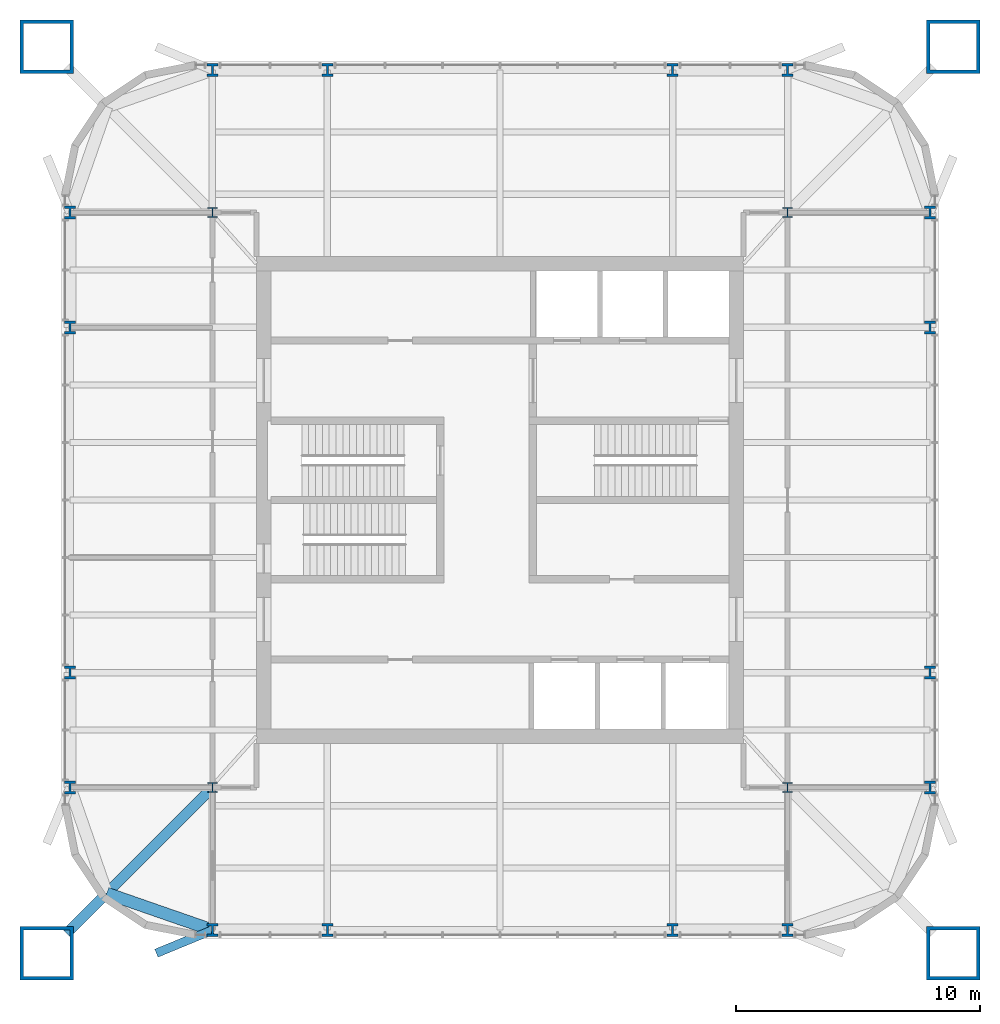
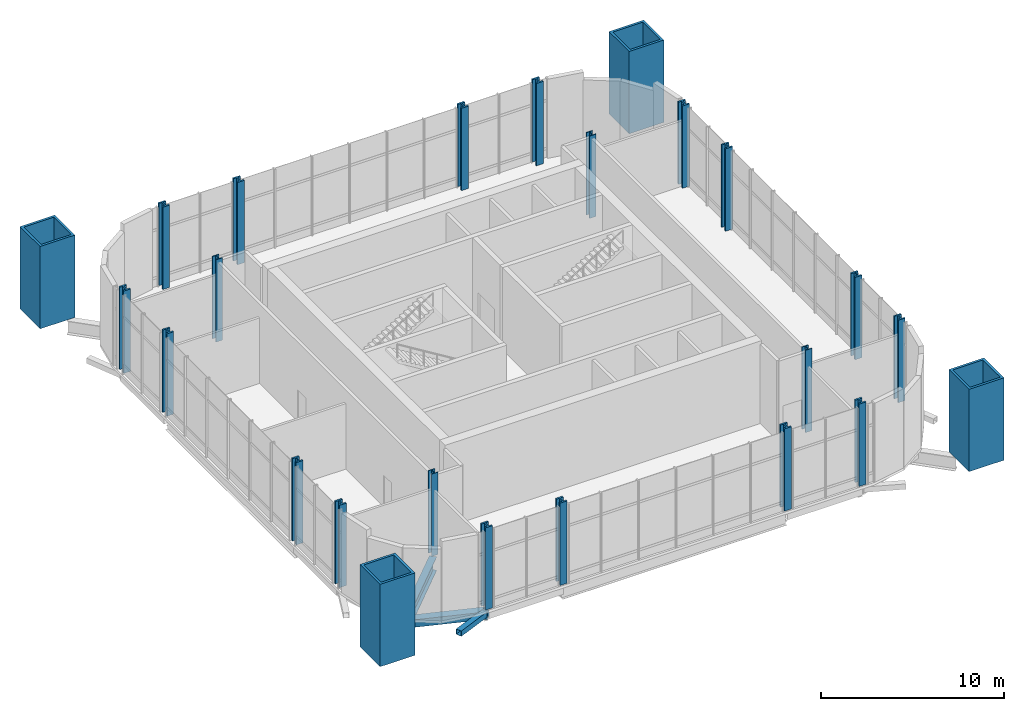
# One storey, part 1 of 17: 24 columns, 3 beams.
"""IFC4 building model written with IfcOpenShell, lengths in metres."""

from ifc_helpers import new_model, si_unit, direction, frame, origin, origin_2d, place, context, subcontext, project, spatial, hollow_rectangle, i_section, extrude, material, material_profile, profile_set, type_object, element, save


model = new_model("IFC4")

# Units and contexts
model_context = context("Model", 3, precision=1e-05, world=origin(), true_north=direction((0.0, 1.0)))
body_context = subcontext(model_context, "Body", "Model", "MODEL_VIEW")
ifc_project = project(units=[si_unit("LENGTHUNIT", "METRE"), si_unit("AREAUNIT", "SQUARE_METRE"), si_unit("VOLUMEUNIT", "CUBIC_METRE"), si_unit("PLANEANGLEUNIT", "RADIAN"), si_unit("MASSUNIT", "GRAM", prefix="KILO")], contexts=[model_context])

# Site, building, storey
site_placement = place(None, origin())
site = spatial("IfcSite", under=ifc_project, at=site_placement, CompositionType="ELEMENT")
building_placement = place(site_placement, origin())
building = spatial("IfcBuilding", under=site, at=building_placement, Name="Turquesa Mirador Hotel Tower", CompositionType="ELEMENT")
storey_placement = place(building_placement, frame((0.0, 0.0, 266.699951171875)))
storey = spatial("IfcBuildingStorey", under=building, at=storey_placement, Name="L72", CompositionType="ELEMENT", Elevation=266.699951171875)

# Columns
ifc_material_1 = material(Name="Steel ASTM A992 Grade 50", Category="steel")
ifc_material_profile_1 = material_profile(ifc_material_1, i_section(OverallWidth=0.406494140625, OverallDepth=0.41650390625, WebThickness=0.030029296875, FlangeThickness=0.048095703125, at=origin_2d()), Name="W14X257")
ifc_profile_set_1 = profile_set([ifc_material_profile_1], Name="Steel ASTM A992 Grade 50")
column_type_1 = type_object("IfcColumnType", Name="COLUMN W14X257", PredefinedType="COLUMN", material=ifc_profile_set_1)
for number, where, z_axis, x_axis, name in (
    (1, (43.199951171875, 33.199951171875, 0.0), (0.0, 0.0, 1.0), (1.0, 0.0, 0.0), "COL-L72-K--11.80--11.80"),
    (2, (43.199951171875, 56.800048828125, 0.0), (0.0, 0.0, 1.0), (1.0, 0.0, 0.0), "COL-L72-K--11.80-+11.80"),
    (3, (66.800048828125, 33.199951171875, 0.0), (0.0, 0.0, 1.0), (1.0, 0.0, 0.0), "COL-L72-K-+11.80--11.80"),
    (4, (66.800048828125, 56.800048828125, 0.0), (0.0, 0.0, 1.0), (1.0, 0.0, 0.0), "COL-L72-K-+11.80-+11.80"),
):
    element("IfcColumn", number, at=place(storey_placement, frame(where, z_axis=z_axis, x_axis=x_axis)), inside=storey, type_object=column_type_1, Name=name, PredefinedType="COLUMN", context=body_context, shape_type="SweptSolid", body=[
        extrude(i_section(OverallWidth=0.406494140625, OverallDepth=0.41650390625, WebThickness=0.030029296875, FlangeThickness=0.048095703125, at=origin_2d()), origin(), (0.0, 0.0, 1.0), 5.5),
    ])
ifc_material_2 = material(Name="Steel ASTM A992 Grade 50", Category="steel")
ifc_material_profile_2 = material_profile(ifc_material_2, i_section(OverallWidth=0.44189453125, OverallDepth=0.53076171875, WebThickness=0.06591796875, FlangeThickness=0.105712890625, at=origin_2d()), Name="W14X605")
ifc_profile_set_2 = profile_set([ifc_material_profile_2], Name="Steel ASTM A992 Grade 50")
column_type_2 = type_object("IfcColumnType", Name="COLUMN W14X605", PredefinedType="COLUMN", material=ifc_profile_set_2)
for number, where, z_axis, x_axis, name in (
    (5, (37.35009765625, 33.199951171875, 0.0), (0.0, 0.0, 1.0), (1.0, 0.0, 0.0), "COL-L72-P--17.65--11.80"),
    (6, (37.35009765625, 37.919921875, 0.0), (0.0, 0.0, 1.0), (1.0, 0.0, 0.0), "COL-L72-P--17.65--7.08"),
    (7, (37.35009765625, 52.080078125, 0.0), (0.0, 0.0, 1.0), (1.0, 0.0, 0.0), "COL-L72-P--17.65-+7.08"),
    (8, (37.35009765625, 56.800048828125, 0.0), (0.0, 0.0, 1.0), (1.0, 0.0, 0.0), "COL-L72-P--17.65-+11.80"),
    (9, (43.199951171875, 27.35009765625, 0.0), (0.0, 0.0, 1.0), (1.0, 0.0, 0.0), "COL-L72-P--11.80--17.65"),
    (10, (43.199951171875, 62.64990234375, 0.0), (0.0, 0.0, 1.0), (1.0, 0.0, 0.0), "COL-L72-P--11.80-+17.65"),
    (11, (47.919921875, 27.35009765625, 0.0), (0.0, 0.0, 1.0), (1.0, 0.0, 0.0), "COL-L72-P--7.08--17.65"),
    (12, (47.919921875, 62.64990234375, 0.0), (0.0, 0.0, 1.0), (1.0, 0.0, 0.0), "COL-L72-P--7.08-+17.65"),
    (13, (62.080078125, 27.35009765625, 0.0), (0.0, 0.0, 1.0), (1.0, 0.0, 0.0), "COL-L72-P-+7.08--17.65"),
    (14, (62.080078125, 62.64990234375, 0.0), (0.0, 0.0, 1.0), (1.0, 0.0, 0.0), "COL-L72-P-+7.08-+17.65"),
    (15, (66.800048828125, 27.35009765625, 0.0), (0.0, 0.0, 1.0), (1.0, 0.0, 0.0), "COL-L72-P-+11.80--17.65"),
    (16, (66.800048828125, 62.64990234375, 0.0), (0.0, 0.0, 1.0), (1.0, 0.0, 0.0), "COL-L72-P-+11.80-+17.65"),
    (17, (72.64990234375, 33.199951171875, 0.0), (0.0, 0.0, 1.0), (1.0, 0.0, 0.0), "COL-L72-P-+17.65--11.80"),
    (18, (72.64990234375, 37.919921875, 0.0), (0.0, 0.0, 1.0), (1.0, 0.0, 0.0), "COL-L72-P-+17.65--7.08"),
    (19, (72.64990234375, 52.080078125, 0.0), (0.0, 0.0, 1.0), (1.0, 0.0, 0.0), "COL-L72-P-+17.65-+7.08"),
    (20, (72.64990234375, 56.800048828125, 0.0), (0.0, 0.0, 1.0), (1.0, 0.0, 0.0), "COL-L72-P-+17.65-+11.80"),
):
    element("IfcColumn", number, at=place(storey_placement, frame(where, z_axis=z_axis, x_axis=x_axis)), inside=storey, type_object=column_type_2, Name=name, PredefinedType="COLUMN", context=body_context, shape_type="SweptSolid", body=[
        extrude(i_section(OverallWidth=0.44189453125, OverallDepth=0.53076171875, WebThickness=0.06591796875, FlangeThickness=0.105712890625, at=origin_2d()), origin(), (0.0, 0.0, 1.0), 5.5),
    ])
ifc_material_3 = material(Name="Steel ASTM A514 Grade Q", Category="steel")
ifc_material_profile_3 = material_profile(ifc_material_3, hollow_rectangle(XDim=2.199951171875, YDim=2.199951171875, WallThickness=0.14990234375, at=origin_2d()), Name="BOX2200X2200X150")
ifc_profile_set_3 = profile_set([ifc_material_profile_3], Name="Steel ASTM A514 Grade Q")
column_type_3 = type_object("IfcColumnType", Name="MEGA COLUMN BOX2200X2200X150", PredefinedType="COLUMN", material=ifc_profile_set_3)
for number, where, z_axis, x_axis, name in (
    (21, (73.60009765625, 63.60009765625, 0.0), (0.0, 0.0, 1.0), (1.0, 0.0, 0.0), "Mega column M1"),
    (22, (36.39990234375, 63.60009765625, 0.0), (0.0, 0.0, 1.0), (1.0, 0.0, 0.0), "Mega column M2"),
    (23, (36.39990234375, 26.39990234375, 0.0), (0.0, 0.0, 1.0), (1.0, 0.0, 0.0), "Mega column M3"),
    (24, (73.60009765625, 26.39990234375, 0.0), (0.0, 0.0, 1.0), (1.0, 0.0, 0.0), "Mega column M4"),
):
    element("IfcColumn", number, at=place(storey_placement, frame(where, z_axis=z_axis, x_axis=x_axis)), inside=storey, type_object=column_type_3, Name=name, PredefinedType="COLUMN", context=body_context, shape_type="SweptSolid", body=[
        extrude(hollow_rectangle(XDim=2.199951171875, YDim=2.199951171875, WallThickness=0.14990234375, at=origin_2d()), origin(), (0.0, 0.0, 1.0), 5.5),
    ])

# Beams
ifc_material_4 = material(Name="Steel ASTM A572 Grade 50", Category="steel")
ifc_material_profile_4 = material_profile(ifc_material_4, hollow_rectangle(XDim=0.5, YDim=0.5, WallThickness=0.01611328125, at=origin_2d()), Name="BOX500X500X16")
ifc_profile_set_4 = profile_set([ifc_material_profile_4], Name="Steel ASTM A572 Grade 50")
beam_type_1 = type_object("IfcBeamType", Name="BEAM BOX500X500X16", PredefinedType="BEAM", material=ifc_profile_set_4)
beam_1_placement = place(storey_placement, frame((38.8583984375, 28.8583984375, -0.419921875), z_axis=(0.944618556552, -0.328170356092, 0.0), x_axis=(0.328170356092, 0.944618556552, 0.0)))
element("IfcBeam", 25, at=beam_1_placement, inside=storey, type_object=beam_type_1, Name="KE-L72-3-1", PredefinedType="BEAM", context=body_context, shape_type="SweptSolid", body=[
    extrude(hollow_rectangle(XDim=0.5, YDim=0.5, WallThickness=0.01611328125, at=origin_2d()), origin(), (0.0, 0.0, 1.0), 4.59619140625),
])
ifc_material_5 = material(Name="Steel ASTM A992 Grade 50", Category="steel")
ifc_material_profile_5 = material_profile(ifc_material_5, i_section(OverallWidth=0.419189453125, OverallDepth=0.927001953125, WebThickness=0.019287109375, FlangeThickness=0.031982421875, at=origin_2d()), Name="W36X231")
ifc_profile_set_5 = profile_set([ifc_material_profile_5], Name="Steel ASTM A992 Grade 50")
beam_type_2 = type_object("IfcBeamType", Name="BEAM W36X231", PredefinedType="BEAM", material=ifc_profile_set_5)
beam_2_placement = place(storey_placement, frame((43.199951171875, 33.199951171875, -0.633544921875), z_axis=(-0.707106781187, -0.707106781187, 0.0), x_axis=(0.707106781187, -0.707106781187, 0.0)))
element("IfcBeam", 26, at=beam_2_placement, inside=storey, type_object=beam_type_2, Name="KD-L72-3", PredefinedType="BEAM", context=body_context, shape_type="SweptSolid", body=[
    extrude(i_section(OverallWidth=0.419189453125, OverallDepth=0.927001953125, WebThickness=0.019287109375, FlangeThickness=0.031982421875, at=origin_2d()), origin(), (0.0, 0.0, 1.0), 8.46240234375),
])
ifc_material_6 = material(Name="Steel ASTM A500 Grade C", Category="steel")
ifc_material_profile_6 = material_profile(ifc_material_6, hollow_rectangle(XDim=0.355712890625, YDim=0.355712890625, WallThickness=0.0146484375, at=origin_2d()), Name="HSS14X14X5/8")
ifc_profile_set_6 = profile_set([ifc_material_profile_6], Name="Steel ASTM A500 Grade C")
beam_type_3 = type_object("IfcBeamType", Name="BRACE STRUT HSS14X14X5/8", PredefinedType="BEAM", material=ifc_profile_set_6)
beam_3_placement = place(storey_placement, frame((40.896728515625, 26.39990234375, -0.34765625), z_axis=(0.924422192524, 0.381370698887, 0.0), x_axis=(-0.381370698887, 0.924422192524, 0.0)))
element("IfcBeam", 27, at=beam_3_placement, inside=storey, type_object=beam_type_3, Name="Brace strut", PredefinedType="BEAM", context=body_context, shape_type="SweptSolid", body=[
    extrude(hollow_rectangle(XDim=0.355712890625, YDim=0.355712890625, WallThickness=0.0146484375, at=origin_2d()), origin(), (0.0, 0.0, 1.0), 2.491455078125),
])

save(model, "model.ifc")
